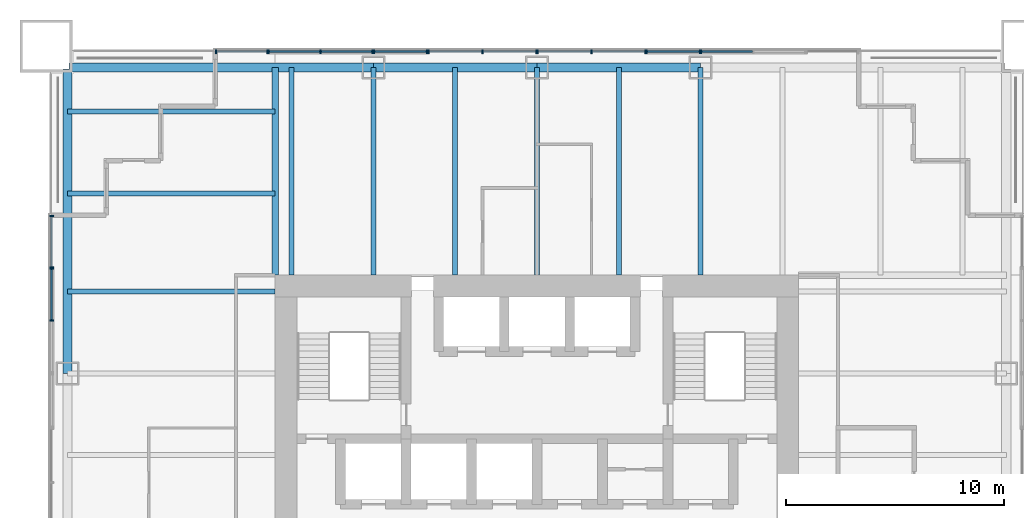
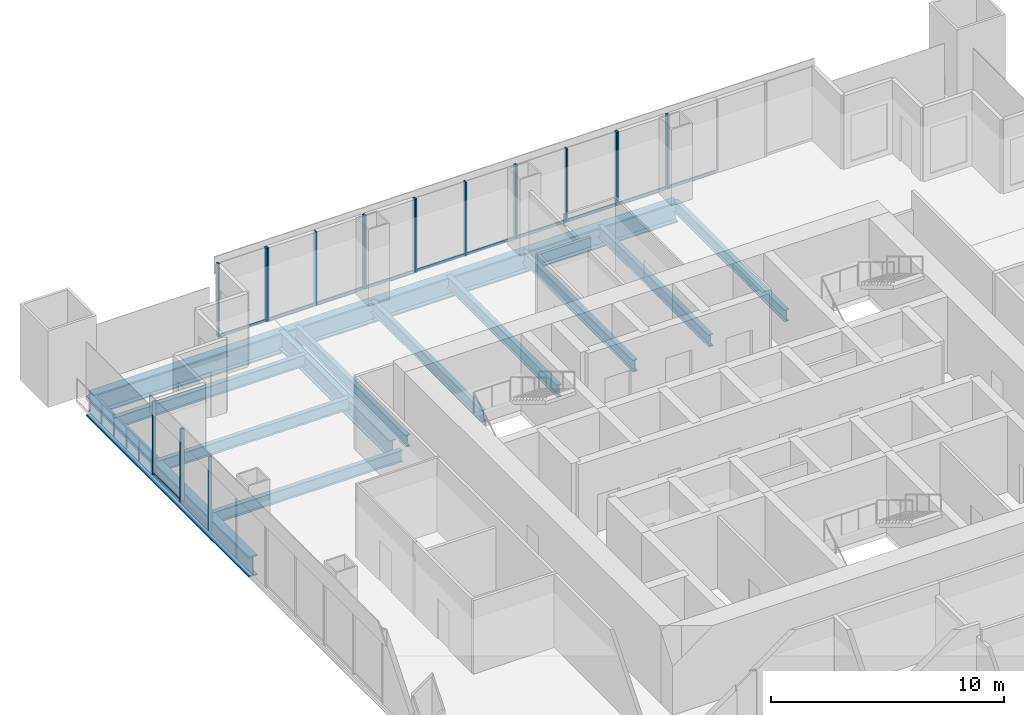
# One storey, part 5 of 13: 32 members, 14 beams, 9 elements without a shape of their own.
"""IFC4 building model written with IfcOpenShell, lengths in metres."""

from ifc_helpers import new_model, si_unit, direction, frame, origin, origin_2d, place, context, subcontext, project, spatial, rectangle, i_section, extrude, material, material_profile, profile_set, type_object, element, aggregate, save


model = new_model("IFC4")

# Units and contexts
model_context = context("Model", 3, precision=1e-05, world=origin(), true_north=direction((0.0, 1.0)))
body_context = subcontext(model_context, "Body", "Model", "MODEL_VIEW")
ifc_project = project(units=[si_unit("LENGTHUNIT", "METRE"), si_unit("AREAUNIT", "SQUARE_METRE"), si_unit("VOLUMEUNIT", "CUBIC_METRE"), si_unit("PLANEANGLEUNIT", "RADIAN"), si_unit("MASSUNIT", "GRAM", prefix="KILO")], contexts=[model_context])

# Site, building, storey
site_placement = place(None, origin())
site = spatial("IfcSite", under=ifc_project, at=site_placement, CompositionType="ELEMENT")
building_placement = place(site_placement, origin())
building = spatial("IfcBuilding", under=site, at=building_placement, Name="Tarangal Relay Tower", CompositionType="ELEMENT")
storey_placement = place(building_placement, frame((0.0, 0.0, 225.89990234375)))
storey = spatial("IfcBuildingStorey", under=building, at=storey_placement, Name="L48", CompositionType="ELEMENT", Elevation=225.89990234375)

# Beams
ifc_material_1 = material(Name="Steel ASTM A992", Category="steel")
ifc_material_profile_1 = material_profile(ifc_material_1, i_section(OverallWidth=0.227783203125, OverallDepth=0.60205078125, WebThickness=0.010498046875, FlangeThickness=0.014892578125, at=origin_2d()), Name="W24X68")
ifc_profile_set_1 = profile_set([ifc_material_profile_1], Name="Steel ASTM A992")
beam_type_1 = type_object("IfcBeamType", Name="Corner beam W24X68", PredefinedType="JOIST", material=ifc_profile_set_1)
for number, where, z_axis, x_axis, name in (
    (1, (-12.0, 15.75, -0.450927734375), (-1.0, 0.0, 0.0), (0.0, -1.0, 0.0), "Corner beam CB11 W L48"),
    (2, (-12.0, 19.5, -0.450927734375), (-1.0, 0.0, 0.0), (0.0, -1.0, 0.0), "Corner beam CB11 W L48"),
):
    element("IfcBeam", number, at=place(storey_placement, frame(where, z_axis=z_axis, x_axis=x_axis)), inside=storey, type_object=beam_type_1, Name=name, PredefinedType="JOIST", context=body_context, shape_type="SweptSolid", body=[
        extrude(i_section(OverallWidth=0.227783203125, OverallDepth=0.60205078125, WebThickness=0.010498046875, FlangeThickness=0.014892578125, at=origin_2d()), origin(), (0.0, 0.0, 1.0), 9.514892578125),
    ])
ifc_material_profile_2 = material_profile(ifc_material_1, i_section(OverallWidth=0.307373046875, OverallDepth=0.9423828125, WebThickness=0.022216796875, FlangeThickness=0.039794921875, at=origin_2d()), Name="W36X232")
ifc_profile_set_2 = profile_set([ifc_material_profile_2], Name="Steel ASTM A992")
beam_type_2 = type_object("IfcBeamType", Name="Corner girder W36X232", PredefinedType="BEAM", material=ifc_profile_set_2)
beam_1_placement = place(storey_placement, frame((-12.0, 12.0, -0.62109375), z_axis=(0.0, 1.0, 0.0), x_axis=(-1.0, 0.0, 0.0)))
element("IfcBeam", 3, at=beam_1_placement, inside=storey, type_object=beam_type_2, Name="Corner girder CG4 W L48", PredefinedType="BEAM", context=body_context, shape_type="SweptSolid", body=[
    extrude(i_section(OverallWidth=0.307373046875, OverallDepth=0.9423828125, WebThickness=0.022216796875, FlangeThickness=0.039794921875, at=origin_2d()), origin(), (0.0, 0.0, 1.0), 9.514892578125),
])
ifc_material_profile_3 = material_profile(ifc_material_1, i_section(OverallWidth=0.41650390625, OverallDepth=1.0693359375, WebThickness=0.0390625, FlangeThickness=0.070068359375, at=origin_2d()), Name="W40X503")
ifc_profile_set_3 = profile_set([ifc_material_profile_3], Name="Steel ASTM A992")
beam_type_3 = type_object("IfcBeamType", Name="Edge girder W40X503", PredefinedType="SPANDREL", material=ifc_profile_set_3)
beam_2_placement = place(storey_placement, frame((-21.449951171875, 21.514892578125, -0.6845703125), z_axis=(1.0, 0.0, 0.0), x_axis=(0.0, 1.0, 0.0)))
element("IfcBeam", 4, at=beam_2_placement, inside=storey, type_object=beam_type_3, Name="Edge girder EG8 N L48", PredefinedType="SPANDREL", context=body_context, shape_type="SweptSolid", body=[
    extrude(i_section(OverallWidth=0.41650390625, OverallDepth=1.0693359375, WebThickness=0.0390625, FlangeThickness=0.070068359375, at=origin_2d()), origin(), (0.0, 0.0, 1.0), 13.949951171875),
])
for number, where, z_axis, x_axis, name in (
    (5, (-7.5, 21.514892578125, -0.6845703125), (1.0, 0.0, 0.0), (0.0, 1.0, 0.0), "Edge girder EG8 N L48"),
    (6, (0.0, 21.514892578125, -0.6845703125), (1.0, 0.0, 0.0), (0.0, 1.0, 0.0), "Edge girder EG8 N L48"),
):
    element("IfcBeam", number, at=place(storey_placement, frame(where, z_axis=z_axis, x_axis=x_axis)), inside=storey, type_object=beam_type_3, Name=name, PredefinedType="SPANDREL", context=body_context, shape_type="SweptSolid", body=[
        extrude(i_section(OverallWidth=0.41650390625, OverallDepth=1.0693359375, WebThickness=0.0390625, FlangeThickness=0.070068359375, at=origin_2d()), origin(), (0.0, 0.0, 1.0), 7.5),
    ])
beam_3_placement = place(storey_placement, frame((-21.514892578125, 7.5, -0.6845703125), z_axis=(0.0, 1.0, 0.0), x_axis=(-1.0, 0.0, 0.0)))
element("IfcBeam", 7, at=beam_3_placement, inside=storey, type_object=beam_type_3, Name="Edge girder EG8 W L48", PredefinedType="SPANDREL", context=body_context, shape_type="SweptSolid", body=[
    extrude(i_section(OverallWidth=0.41650390625, OverallDepth=1.0693359375, WebThickness=0.0390625, FlangeThickness=0.070068359375, at=origin_2d()), origin(), (0.0, 0.0, 1.0), 13.949951171875),
])
ifc_material_profile_4 = material_profile(ifc_material_1, i_section(OverallWidth=0.22900390625, OverallDepth=0.612060546875, WebThickness=0.011962890625, FlangeThickness=0.01953125, at=origin_2d()), Name="W24X84")
ifc_profile_set_4 = profile_set([ifc_material_profile_4], Name="Steel ASTM A992")
beam_type_4 = type_object("IfcBeamType", Name="Floor beam W24X84", PredefinedType="BEAM", material=ifc_profile_set_4)
for number, where, z_axis, x_axis, name in (
    (8, (-11.25, 12.0, -0.455810546875), (0.0, 1.0, 0.0), (-1.0, 0.0, 0.0), "Floor beam RB12 N L48"),
    (9, (-7.5, 12.0, -0.455810546875), (0.0, 1.0, 0.0), (-1.0, 0.0, 0.0), "Floor beam RB12 N L48"),
    (10, (-3.75, 12.0, -0.455810546875), (0.0, 1.0, 0.0), (-1.0, 0.0, 0.0), "Floor beam RB12 N L48"),
    (11, (0.0, 12.0, -0.455810546875), (0.0, 1.0, 0.0), (-1.0, 0.0, 0.0), "Floor beam RB12 N L48"),
    (12, (3.75, 12.0, -0.455810546875), (0.0, 1.0, 0.0), (-1.0, 0.0, 0.0), "Floor beam RB12 N L48"),
    (13, (7.5, 12.0, -0.455810546875), (0.0, 1.0, 0.0), (-1.0, 0.0, 0.0), "Floor beam RB12 N L48"),
    (14, (-12.0, 11.25, -0.455810546875), (-1.0, 0.0, 0.0), (0.0, -1.0, 0.0), "Floor beam RB12 W L48"),
):
    element("IfcBeam", number, at=place(storey_placement, frame(where, z_axis=z_axis, x_axis=x_axis)), inside=storey, type_object=beam_type_4, Name=name, PredefinedType="BEAM", context=body_context, shape_type="SweptSolid", body=[
        extrude(i_section(OverallWidth=0.22900390625, OverallDepth=0.612060546875, WebThickness=0.011962890625, FlangeThickness=0.01953125, at=origin_2d()), origin(), (0.0, 0.0, 1.0), 9.514892578125),
    ])

# Curtain wall, members
ifc_material_2 = material(Name="Unitised curtain wall, dark glass and black aluminium", Category="aluminium")
curtain_wall_type_1 = type_object("IfcCurtainWallType", Name="Curtain wall CW-A", PredefinedType="USERDEFINED", material=ifc_material_2)
curtain_wall_1_placement = place(storey_placement, origin())
curtain_wall_1 = element("IfcCurtainWall", 15, at=curtain_wall_1_placement, inside=storey, type_object=curtain_wall_type_1, Name="Curtain wall CW-A N facade L48", ObjectType="UNITISED CURTAIN WALL", PredefinedType="USERDEFINED")
ifc_material_3 = material(Name="Black anodised aluminium mullion", Category="aluminium")
ifc_material_profile_5 = material_profile(ifc_material_3, rectangle(XDim=0.175048828125, YDim=0.06494140625, at=origin_2d()), Name="CW-AM 65X175")
ifc_profile_set_5 = profile_set([ifc_material_profile_5], Name="Black anodised aluminium mullion")
member_type_1 = type_object("IfcMemberType", Name="Mullion CW-A 65 x 175", PredefinedType="MULLION", material=ifc_profile_set_5)
member_1_placement = place(storey_placement, frame((-14.717529296875, 22.25, 0.0), z_axis=(0.0, 0.0, 1.0), x_axis=(0.0, 1.0, 0.0)))
member_1 = element("IfcMember", 16, at=member_1_placement, type_object=member_type_1, Name="CW-A mullion 1", PredefinedType="MULLION", context=body_context, shape_type="SweptSolid", body=[
    extrude(rectangle(XDim=0.175048828125, YDim=0.06494140625, at=origin_2d()), origin(), (0.0, 0.0, 1.0), 3.85009765625),
])
member_2_placement = place(storey_placement, frame((-12.36572265625, 22.25, 0.0), z_axis=(0.0, 0.0, 1.0), x_axis=(0.0, 1.0, 0.0)))
member_2 = element("IfcMember", 17, at=member_2_placement, type_object=member_type_1, Name="CW-A mullion 2", PredefinedType="MULLION", context=body_context, shape_type="SweptSolid", body=[
    extrude(rectangle(XDim=0.175048828125, YDim=0.06494140625, at=origin_2d()), origin(), (0.0, 0.0, 1.0), 3.85009765625),
])

curtain_wall_2_placement = place(storey_placement, origin())
curtain_wall_2 = element("IfcCurtainWall", 18, at=curtain_wall_2_placement, inside=storey, type_object=curtain_wall_type_1, Name="Curtain wall CW-A N facade L48", ObjectType="UNITISED CURTAIN WALL", PredefinedType="USERDEFINED")
member_3_placement = place(storey_placement, frame((-4.967529296875, 22.25, 0.0), z_axis=(0.0, 0.0, 1.0), x_axis=(0.0, 1.0, 0.0)))
member_3 = element("IfcMember", 19, at=member_3_placement, type_object=member_type_1, Name="CW-A mullion 1", PredefinedType="MULLION", context=body_context, shape_type="SweptSolid", body=[
    extrude(rectangle(XDim=0.175048828125, YDim=0.06494140625, at=origin_2d()), origin(), (0.0, 0.0, 1.0), 3.85009765625),
])
member_4_placement = place(storey_placement, frame((-2.5, 22.25, 0.0), z_axis=(0.0, 0.0, 1.0), x_axis=(0.0, 1.0, 0.0)))
member_4 = element("IfcMember", 20, at=member_4_placement, type_object=member_type_1, Name="CW-A mullion 2", PredefinedType="MULLION", context=body_context, shape_type="SweptSolid", body=[
    extrude(rectangle(XDim=0.175048828125, YDim=0.06494140625, at=origin_2d()), origin(), (0.0, 0.0, 1.0), 3.85009765625),
])
member_5_placement = place(storey_placement, frame((-0.032470703125, 22.25, 0.0), z_axis=(0.0, 0.0, 1.0), x_axis=(0.0, 1.0, 0.0)))
member_5 = element("IfcMember", 21, at=member_5_placement, type_object=member_type_1, Name="CW-A mullion 3", PredefinedType="MULLION", context=body_context, shape_type="SweptSolid", body=[
    extrude(rectangle(XDim=0.175048828125, YDim=0.06494140625, at=origin_2d()), origin(), (0.0, 0.0, 1.0), 3.85009765625),
])

curtain_wall_3_placement = place(storey_placement, origin())
curtain_wall_3 = element("IfcCurtainWall", 22, at=curtain_wall_3_placement, inside=storey, type_object=curtain_wall_type_1, Name="Curtain wall CW-A N facade L48", ObjectType="UNITISED CURTAIN WALL", PredefinedType="USERDEFINED")
member_6_placement = place(storey_placement, frame((0.032470703125, 22.25, 0.0), z_axis=(0.0, 0.0, 1.0), x_axis=(0.0, 1.0, 0.0)))
member_6 = element("IfcMember", 23, at=member_6_placement, type_object=member_type_1, Name="CW-A mullion 1", PredefinedType="MULLION", context=body_context, shape_type="SweptSolid", body=[
    extrude(rectangle(XDim=0.175048828125, YDim=0.06494140625, at=origin_2d()), origin(), (0.0, 0.0, 1.0), 3.85009765625),
])
member_7_placement = place(storey_placement, frame((2.5, 22.25, 0.0), z_axis=(0.0, 0.0, 1.0), x_axis=(0.0, 1.0, 0.0)))
member_7 = element("IfcMember", 24, at=member_7_placement, type_object=member_type_1, Name="CW-A mullion 2", PredefinedType="MULLION", context=body_context, shape_type="SweptSolid", body=[
    extrude(rectangle(XDim=0.175048828125, YDim=0.06494140625, at=origin_2d()), origin(), (0.0, 0.0, 1.0), 3.85009765625),
])
member_8_placement = place(storey_placement, frame((4.967529296875, 22.25, 0.0), z_axis=(0.0, 0.0, 1.0), x_axis=(0.0, 1.0, 0.0)))
member_8 = element("IfcMember", 25, at=member_8_placement, type_object=member_type_1, Name="CW-A mullion 3", PredefinedType="MULLION", context=body_context, shape_type="SweptSolid", body=[
    extrude(rectangle(XDim=0.175048828125, YDim=0.06494140625, at=origin_2d()), origin(), (0.0, 0.0, 1.0), 3.85009765625),
])

curtain_wall_4_placement = place(storey_placement, origin())
curtain_wall_4 = element("IfcCurtainWall", 26, at=curtain_wall_4_placement, inside=storey, type_object=curtain_wall_type_1, Name="Curtain wall CW-A W facade L48", ObjectType="UNITISED CURTAIN WALL", PredefinedType="USERDEFINED")
member_9_placement = place(storey_placement, frame((-22.25, 12.36572265625, 0.0), z_axis=(0.0, 0.0, 1.0), x_axis=(-1.0, 0.0, 0.0)))
member_9 = element("IfcMember", 27, at=member_9_placement, type_object=member_type_1, Name="CW-A mullion 1", PredefinedType="MULLION", context=body_context, shape_type="SweptSolid", body=[
    extrude(rectangle(XDim=0.175048828125, YDim=0.06494140625, at=origin_2d()), origin(), (0.0, 0.0, 1.0), 3.85009765625),
])
member_10_placement = place(storey_placement, frame((-22.25, 14.717529296875, 0.0), z_axis=(0.0, 0.0, 1.0), x_axis=(-1.0, 0.0, 0.0)))
member_10 = element("IfcMember", 28, at=member_10_placement, type_object=member_type_1, Name="CW-A mullion 2", PredefinedType="MULLION", context=body_context, shape_type="SweptSolid", body=[
    extrude(rectangle(XDim=0.175048828125, YDim=0.06494140625, at=origin_2d()), origin(), (0.0, 0.0, 1.0), 3.85009765625),
])

ifc_material_4 = material(Name="Unitised curtain wall frame, black aluminium, with metal clad infill walls", Category="aluminium")
curtain_wall_type_2 = type_object("IfcCurtainWallType", Name="Curtain wall CW-AO", PredefinedType="USERDEFINED", material=ifc_material_4)
curtain_wall_5_placement = place(storey_placement, origin())
curtain_wall_5 = element("IfcCurtainWall", 29, at=curtain_wall_5_placement, inside=storey, type_object=curtain_wall_type_2, Name="Curtain wall CW-AO N facade L48", ObjectType="UNITISED CURTAIN WALL", PredefinedType="USERDEFINED")
ifc_material_profile_6 = material_profile(ifc_material_3, rectangle(XDim=0.175048828125, YDim=0.06494140625, at=origin_2d()), Name="CW-AOM 65X175")
ifc_profile_set_6 = profile_set([ifc_material_profile_6], Name="Black anodised aluminium mullion")
member_type_2 = type_object("IfcMemberType", Name="Mullion CW-AO 65 x 175", PredefinedType="MULLION", material=ifc_profile_set_6)
member_11_placement = place(storey_placement, frame((-12.30078125, 22.25, 0.0), z_axis=(0.0, 0.0, 1.0), x_axis=(0.0, 1.0, 0.0)))
member_11 = element("IfcMember", 30, at=member_11_placement, type_object=member_type_2, Name="CW-AO mullion 1", PredefinedType="MULLION", context=body_context, shape_type="SweptSolid", body=[
    extrude(rectangle(XDim=0.175048828125, YDim=0.06494140625, at=origin_2d()), origin(), (0.0, 0.0, 1.0), 3.85009765625),
])
member_12_placement = place(storey_placement, frame((-9.916748046875, 22.25, 0.0), z_axis=(0.0, 0.0, 1.0), x_axis=(0.0, 1.0, 0.0)))
member_12 = element("IfcMember", 31, at=member_12_placement, type_object=member_type_2, Name="CW-AO mullion 2", PredefinedType="MULLION", context=body_context, shape_type="SweptSolid", body=[
    extrude(rectangle(XDim=0.175048828125, YDim=0.06494140625, at=origin_2d()), origin(), (0.0, 0.0, 1.0), 3.85009765625),
])
member_13_placement = place(storey_placement, frame((-7.532470703125, 22.25, 0.0), z_axis=(0.0, 0.0, 1.0), x_axis=(0.0, 1.0, 0.0)))
member_13 = element("IfcMember", 32, at=member_13_placement, type_object=member_type_2, Name="CW-AO mullion 3", PredefinedType="MULLION", context=body_context, shape_type="SweptSolid", body=[
    extrude(rectangle(XDim=0.175048828125, YDim=0.06494140625, at=origin_2d()), origin(), (0.0, 0.0, 1.0), 3.85009765625),
])

curtain_wall_6_placement = place(storey_placement, origin())
curtain_wall_6 = element("IfcCurtainWall", 33, at=curtain_wall_6_placement, inside=storey, type_object=curtain_wall_type_2, Name="Curtain wall CW-AO N facade L48", ObjectType="UNITISED CURTAIN WALL", PredefinedType="USERDEFINED")
member_14_placement = place(storey_placement, frame((-7.467529296875, 22.25, 0.0), z_axis=(0.0, 0.0, 1.0), x_axis=(0.0, 1.0, 0.0)))
member_14 = element("IfcMember", 34, at=member_14_placement, type_object=member_type_2, Name="CW-AO mullion 1", PredefinedType="MULLION", context=body_context, shape_type="SweptSolid", body=[
    extrude(rectangle(XDim=0.175048828125, YDim=0.06494140625, at=origin_2d()), origin(), (0.0, 0.0, 1.0), 3.85009765625),
])
member_15_placement = place(storey_placement, frame((-5.032470703125, 22.25, 0.0), z_axis=(0.0, 0.0, 1.0), x_axis=(0.0, 1.0, 0.0)))
member_15 = element("IfcMember", 35, at=member_15_placement, type_object=member_type_2, Name="CW-AO mullion 2", PredefinedType="MULLION", context=body_context, shape_type="SweptSolid", body=[
    extrude(rectangle(XDim=0.175048828125, YDim=0.06494140625, at=origin_2d()), origin(), (0.0, 0.0, 1.0), 3.85009765625),
])

curtain_wall_7_placement = place(storey_placement, origin())
curtain_wall_7 = element("IfcCurtainWall", 36, at=curtain_wall_7_placement, inside=storey, type_object=curtain_wall_type_2, Name="Curtain wall CW-AO N facade L48", ObjectType="UNITISED CURTAIN WALL", PredefinedType="USERDEFINED")
member_16_placement = place(storey_placement, frame((5.032470703125, 22.25, 0.0), z_axis=(0.0, 0.0, 1.0), x_axis=(0.0, 1.0, 0.0)))
member_16 = element("IfcMember", 37, at=member_16_placement, type_object=member_type_2, Name="CW-AO mullion 1", PredefinedType="MULLION", context=body_context, shape_type="SweptSolid", body=[
    extrude(rectangle(XDim=0.175048828125, YDim=0.06494140625, at=origin_2d()), origin(), (0.0, 0.0, 1.0), 3.85009765625),
])
member_17_placement = place(storey_placement, frame((7.467529296875, 22.25, 0.0), z_axis=(0.0, 0.0, 1.0), x_axis=(0.0, 1.0, 0.0)))
member_17 = element("IfcMember", 38, at=member_17_placement, type_object=member_type_2, Name="CW-AO mullion 2", PredefinedType="MULLION", context=body_context, shape_type="SweptSolid", body=[
    extrude(rectangle(XDim=0.175048828125, YDim=0.06494140625, at=origin_2d()), origin(), (0.0, 0.0, 1.0), 3.85009765625),
])

# Curtain wall, member
curtain_wall_8_placement = place(storey_placement, origin())
curtain_wall_8 = element("IfcCurtainWall", 39, at=curtain_wall_8_placement, inside=storey, type_object=curtain_wall_type_2, Name="Curtain wall CW-AO N facade L48", ObjectType="UNITISED CURTAIN WALL", PredefinedType="USERDEFINED")
member_18_placement = place(storey_placement, frame((7.532470703125, 22.25, 0.0), z_axis=(0.0, 0.0, 1.0), x_axis=(0.0, 1.0, 0.0)))
member_18 = element("IfcMember", 40, at=member_18_placement, type_object=member_type_2, Name="CW-AO mullion 1", PredefinedType="MULLION", context=body_context, shape_type="SweptSolid", body=[
    extrude(rectangle(XDim=0.175048828125, YDim=0.06494140625, at=origin_2d()), origin(), (0.0, 0.0, 1.0), 3.85009765625),
])

# Curtain wall, members
curtain_wall_9_placement = place(storey_placement, origin())
curtain_wall_9 = element("IfcCurtainWall", 41, at=curtain_wall_9_placement, inside=storey, type_object=curtain_wall_type_2, Name="Curtain wall CW-AO W facade L48", ObjectType="UNITISED CURTAIN WALL", PredefinedType="USERDEFINED")
member_19_placement = place(storey_placement, frame((-22.25, 9.916748046875, 0.0), z_axis=(0.0, 0.0, 1.0), x_axis=(-1.0, 0.0, 0.0)))
member_19 = element("IfcMember", 42, at=member_19_placement, type_object=member_type_2, Name="CW-AO mullion 2", PredefinedType="MULLION", context=body_context, shape_type="SweptSolid", body=[
    extrude(rectangle(XDim=0.175048828125, YDim=0.06494140625, at=origin_2d()), origin(), (0.0, 0.0, 1.0), 3.85009765625),
])
member_20_placement = place(storey_placement, frame((-22.25, 12.30078125, 0.0), z_axis=(0.0, 0.0, 1.0), x_axis=(-1.0, 0.0, 0.0)))
member_20 = element("IfcMember", 43, at=member_20_placement, type_object=member_type_2, Name="CW-AO mullion 3", PredefinedType="MULLION", context=body_context, shape_type="SweptSolid", body=[
    extrude(rectangle(XDim=0.175048828125, YDim=0.06494140625, at=origin_2d()), origin(), (0.0, 0.0, 1.0), 3.85009765625),
])

# Member
ifc_material_5 = material(Name="Black anodised aluminium transom", Category="aluminium")
ifc_material_profile_7 = material_profile(ifc_material_5, rectangle(XDim=0.06494140625, YDim=0.14990234375, at=origin_2d()), Name="CW-AT 65X150")
ifc_profile_set_7 = profile_set([ifc_material_profile_7], Name="Black anodised aluminium transom")
member_type_3 = type_object("IfcMemberType", Name="Transom CW-A 65 x 150", PredefinedType="USERDEFINED", material=ifc_profile_set_7)
member_21_placement = place(storey_placement, frame((-14.68505859375, 22.25, 0.03271484375), z_axis=(1.0, 0.0, 0.0), x_axis=(0.0, 1.0, 0.0)))
member_21 = element("IfcMember", 44, at=member_21_placement, type_object=member_type_3, Name="CW-A transom 1.1", ObjectType="TRANSOM", PredefinedType="USERDEFINED", context=body_context, shape_type="SweptSolid", body=[
    extrude(rectangle(XDim=0.06494140625, YDim=0.14990234375, at=origin_2d()), origin(), (0.0, 0.0, 1.0), 2.286865234375),
])

aggregate(curtain_wall_1, [member_1, member_2, member_21])

member_22_placement = place(storey_placement, frame((-4.93505859375, 22.25, 0.03271484375), z_axis=(1.0, 0.0, 0.0), x_axis=(0.0, 1.0, 0.0)))
member_22 = element("IfcMember", 45, at=member_22_placement, type_object=member_type_3, Name="CW-A transom 1.1", ObjectType="TRANSOM", PredefinedType="USERDEFINED", context=body_context, shape_type="SweptSolid", body=[
    extrude(rectangle(XDim=0.06494140625, YDim=0.14990234375, at=origin_2d()), origin(), (0.0, 0.0, 1.0), 2.402587890625),
])

member_23_placement = place(storey_placement, frame((-2.467529296875, 22.25, 0.03271484375), z_axis=(1.0, 0.0, 0.0), x_axis=(0.0, 1.0, 0.0)))
member_23 = element("IfcMember", 46, at=member_23_placement, type_object=member_type_3, Name="CW-A transom 2.1", ObjectType="TRANSOM", PredefinedType="USERDEFINED", context=body_context, shape_type="SweptSolid", body=[
    extrude(rectangle(XDim=0.06494140625, YDim=0.14990234375, at=origin_2d()), origin(), (0.0, 0.0, 1.0), 2.402587890625),
])

aggregate(curtain_wall_2, [member_3, member_4, member_5, member_22, member_23])

member_24_placement = place(storey_placement, frame((0.06494140625, 22.25, 0.03271484375), z_axis=(1.0, 0.0, 0.0), x_axis=(0.0, 1.0, 0.0)))
member_24 = element("IfcMember", 47, at=member_24_placement, type_object=member_type_3, Name="CW-A transom 1.1", ObjectType="TRANSOM", PredefinedType="USERDEFINED", context=body_context, shape_type="SweptSolid", body=[
    extrude(rectangle(XDim=0.06494140625, YDim=0.14990234375, at=origin_2d()), origin(), (0.0, 0.0, 1.0), 2.402587890625),
])

member_25_placement = place(storey_placement, frame((2.532470703125, 22.25, 0.03271484375), z_axis=(1.0, 0.0, 0.0), x_axis=(0.0, 1.0, 0.0)))
member_25 = element("IfcMember", 48, at=member_25_placement, type_object=member_type_3, Name="CW-A transom 2.1", ObjectType="TRANSOM", PredefinedType="USERDEFINED", context=body_context, shape_type="SweptSolid", body=[
    extrude(rectangle(XDim=0.06494140625, YDim=0.14990234375, at=origin_2d()), origin(), (0.0, 0.0, 1.0), 2.402587890625),
])

aggregate(curtain_wall_3, [member_6, member_7, member_8, member_24, member_25])

member_26_placement = place(storey_placement, frame((-22.25, 12.398193359375, 0.03271484375), z_axis=(0.0, 1.0, 0.0), x_axis=(-1.0, 0.0, 0.0)))
member_26 = element("IfcMember", 49, at=member_26_placement, type_object=member_type_3, Name="CW-A transom 1.1", ObjectType="TRANSOM", PredefinedType="USERDEFINED", context=body_context, shape_type="SweptSolid", body=[
    extrude(rectangle(XDim=0.06494140625, YDim=0.14990234375, at=origin_2d()), origin(), (0.0, 0.0, 1.0), 2.286865234375),
])

aggregate(curtain_wall_4, [member_9, member_10, member_26])

ifc_material_profile_8 = material_profile(ifc_material_5, rectangle(XDim=0.06494140625, YDim=0.14990234375, at=origin_2d()), Name="CW-AOT 65X150")
ifc_profile_set_8 = profile_set([ifc_material_profile_8], Name="Black anodised aluminium transom")
member_type_4 = type_object("IfcMemberType", Name="Transom CW-AO 65 x 150", PredefinedType="USERDEFINED", material=ifc_profile_set_8)
member_27_placement = place(storey_placement, frame((-12.268310546875, 22.25, 0.03271484375), z_axis=(1.0, 0.0, 0.0), x_axis=(0.0, 1.0, 0.0)))
member_27 = element("IfcMember", 50, at=member_27_placement, type_object=member_type_4, Name="CW-AO transom 1.1", ObjectType="TRANSOM", PredefinedType="USERDEFINED", context=body_context, shape_type="SweptSolid", body=[
    extrude(rectangle(XDim=0.06494140625, YDim=0.14990234375, at=origin_2d()), origin(), (0.0, 0.0, 1.0), 2.319091796875),
])

member_28_placement = place(storey_placement, frame((-9.884033203125, 22.25, 0.03271484375), z_axis=(1.0, 0.0, 0.0), x_axis=(0.0, 1.0, 0.0)))
member_28 = element("IfcMember", 51, at=member_28_placement, type_object=member_type_4, Name="CW-AO transom 2.1", ObjectType="TRANSOM", PredefinedType="USERDEFINED", context=body_context, shape_type="SweptSolid", body=[
    extrude(rectangle(XDim=0.06494140625, YDim=0.14990234375, at=origin_2d()), origin(), (0.0, 0.0, 1.0), 2.319091796875),
])

aggregate(curtain_wall_5, [member_11, member_12, member_13, member_27, member_28])

member_29_placement = place(storey_placement, frame((-7.43505859375, 22.25, 0.03271484375), z_axis=(1.0, 0.0, 0.0), x_axis=(0.0, 1.0, 0.0)))
member_29 = element("IfcMember", 52, at=member_29_placement, type_object=member_type_4, Name="CW-AO transom 1.1", ObjectType="TRANSOM", PredefinedType="USERDEFINED", context=body_context, shape_type="SweptSolid", body=[
    extrude(rectangle(XDim=0.06494140625, YDim=0.14990234375, at=origin_2d()), origin(), (0.0, 0.0, 1.0), 2.3701171875),
])

aggregate(curtain_wall_6, [member_14, member_15, member_29])

member_30_placement = place(storey_placement, frame((5.06494140625, 22.25, 0.03271484375), z_axis=(1.0, 0.0, 0.0), x_axis=(0.0, 1.0, 0.0)))
member_30 = element("IfcMember", 53, at=member_30_placement, type_object=member_type_4, Name="CW-AO transom 1.1", ObjectType="TRANSOM", PredefinedType="USERDEFINED", context=body_context, shape_type="SweptSolid", body=[
    extrude(rectangle(XDim=0.06494140625, YDim=0.14990234375, at=origin_2d()), origin(), (0.0, 0.0, 1.0), 2.3701171875),
])

aggregate(curtain_wall_7, [member_16, member_17, member_30])

member_31_placement = place(storey_placement, frame((7.56494140625, 22.25, 0.03271484375), z_axis=(1.0, 0.0, 0.0), x_axis=(0.0, 1.0, 0.0)))
member_31 = element("IfcMember", 54, at=member_31_placement, type_object=member_type_4, Name="CW-AO transom 1.1", ObjectType="TRANSOM", PredefinedType="USERDEFINED", context=body_context, shape_type="SweptSolid", body=[
    extrude(rectangle(XDim=0.06494140625, YDim=0.14990234375, at=origin_2d()), origin(), (0.0, 0.0, 1.0), 2.319091796875),
])

aggregate(curtain_wall_8, [member_18, member_31])

member_32_placement = place(storey_placement, frame((-22.25, 9.94921875, 0.03271484375), z_axis=(0.0, 1.0, 0.0), x_axis=(-1.0, 0.0, 0.0)))
member_32 = element("IfcMember", 55, at=member_32_placement, type_object=member_type_4, Name="CW-AO transom 2.1", ObjectType="TRANSOM", PredefinedType="USERDEFINED", context=body_context, shape_type="SweptSolid", body=[
    extrude(rectangle(XDim=0.06494140625, YDim=0.14990234375, at=origin_2d()), origin(), (0.0, 0.0, 1.0), 2.319091796875),
])

aggregate(curtain_wall_9, [member_19, member_20, member_32])

save(model, "model.ifc")
